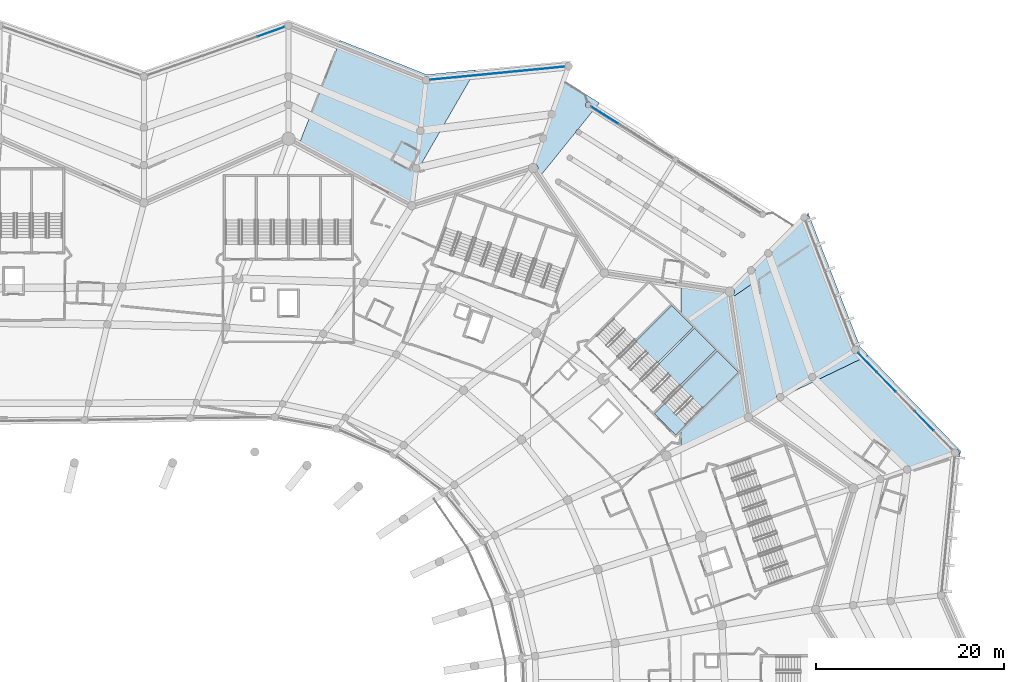
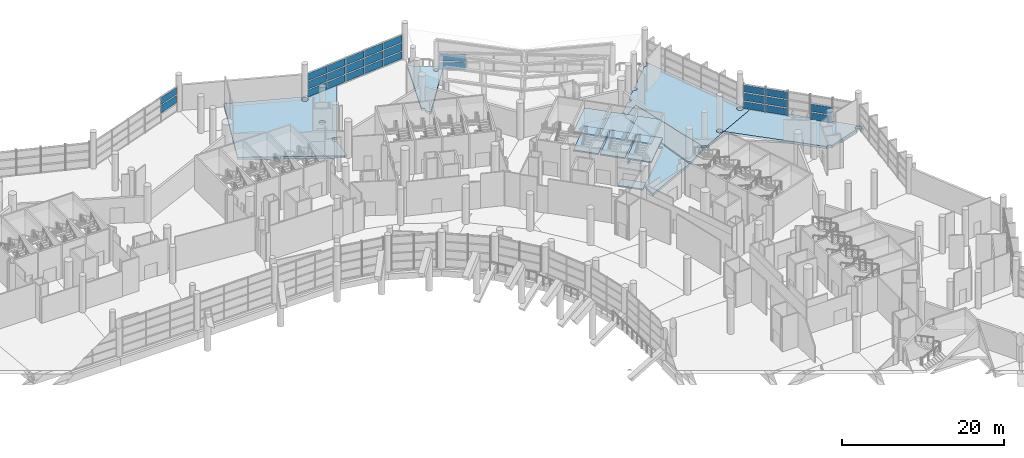
# One storey, part 155 of 271: 27 plates, 14 slabs, 7 elements without a shape of their own.
"""IFC4 building model written with IfcOpenShell, lengths in metres."""

from ifc_helpers import new_model, si_unit, direction, frame, origin, origin_2d, place, context, subcontext, project, spatial, polyline, rectangle, outline, extrude, material, layer, layer_set, type_object, element, aggregate, save


model = new_model("IFC4")

# Units and contexts
model_context = context("Model", 3, precision=1e-05, world=origin(), true_north=direction((0.0, 1.0)))
body_context = subcontext(model_context, "Body", "Model", "MODEL_VIEW")
ifc_project = project(units=[si_unit("LENGTHUNIT", "METRE"), si_unit("AREAUNIT", "SQUARE_METRE"), si_unit("VOLUMEUNIT", "CUBIC_METRE"), si_unit("PLANEANGLEUNIT", "RADIAN"), si_unit("MASSUNIT", "GRAM", prefix="KILO")], contexts=[model_context])

# Site, building, storey
site_placement = place(None, origin())
site = spatial("IfcSite", under=ifc_project, at=site_placement, CompositionType="ELEMENT")
building_placement = place(site_placement, origin())
building = spatial("IfcBuilding", under=site, at=building_placement, Name="Meseta Stadium", CompositionType="ELEMENT")
storey_placement = place(building_placement, frame((0.0, 0.0, 6.5)))
storey = spatial("IfcBuildingStorey", under=building, at=storey_placement, Name="L01", CompositionType="ELEMENT", Elevation=6.5)

# Slabs
ifc_material_1 = material(Name="Concrete C40/50", Category="concrete")
ifc_layer_1 = layer(ifc_material_1, 0.35009765625)
ifc_layer_set_1 = layer_set([ifc_layer_1], Name="Floor slab 350")
slab_type_1 = type_object("IfcSlabType", Name="Floor slab 350", PredefinedType="FLOOR", material=ifc_layer_set_1)
slab_1_placement = place(storey_placement, frame((0.0, 0.0, -0.35009765625)))
element("IfcSlab", 1, at=slab_1_placement, inside=storey, type_object=slab_type_1, Name="Floor slab L01 sector 07 panel 13", PredefinedType="FLOOR", context=body_context, shape_type="SweptSolid", body=[
    extrude(outline(polyline([(86.093017578125, 80.61767578125), (80.0, 74.524658203125), (80.0, 72.48828125), (87.15087890625, 75.856689453125), (85.173583984375, 89.173583984375), (80.0, 89.94189453125), (80.0, 86.710693359375), (81.28466796875, 85.426025390625), (80.0, 84.141357421875), (80.0, 83.858642578125), (81.426025390625, 85.28466796875), (83.688720703125, 83.02197265625), (80.6669921875, 80.0), (80.94970703125, 80.0), (83.830078125, 82.880615234375), (86.093017578125, 80.61767578125)])), origin(), (0.0, 0.0, 1.0), 0.35009765625),
])
slab_2_placement = place(storey_placement, frame((0.0, 0.0, -0.35009765625)))
element("IfcSlab", 2, at=slab_2_placement, inside=storey, type_object=slab_type_1, Name="Ring floor slab L01 2 panel 04", PredefinedType="FLOOR", context=body_context, shape_type="SweptSolid", body=[
    extrude(outline(polyline([(51.323974609375, 98.73291015625), (51.44140625, 98.748291015625), (51.491943359375, 98.74169921875), (51.844482421875, 101.87158203125), (51.784912109375, 101.879638671875), (51.6875, 101.919921875), (51.60400390625, 101.98388671875), (51.539794921875, 102.0673828125), (51.49951171875, 102.164794921875), (51.48583984375, 102.269287109375), (51.49951171875, 102.373779296875), (51.539794921875, 102.470947265625), (51.60400390625, 102.554443359375), (51.6875, 102.61865234375), (51.784912109375, 102.658935546875), (51.889404296875, 102.672607421875), (51.993896484375, 102.658935546875), (52.091064453125, 102.61865234375), (52.174560546875, 102.554443359375), (52.23876953125, 102.470947265625), (52.25732421875, 102.426025390625), (58.19482421875, 112.697998046875), (53.009033203125, 112.206298828125), (43.822509765625, 115.8330078125), (39.49951171875, 104.9384765625), (51.138671875, 98.629150390625), (51.214599609375, 98.6875), (51.323974609375, 98.73291015625)]), holes=[polyline([(52.538330078125, 111.610107421875), (52.552001953125, 111.714599609375), (52.59228515625, 111.81201171875), (52.656494140625, 111.8955078125), (52.739990234375, 111.959716796875), (52.83740234375, 112.0), (52.94189453125, 112.013671875), (53.046142578125, 112.0), (53.1435546875, 111.959716796875), (53.22705078125, 111.8955078125), (53.291259765625, 111.81201171875), (53.33154296875, 111.714599609375), (53.34521484375, 111.610107421875), (53.33154296875, 111.505615234375), (53.291259765625, 111.408447265625), (53.22705078125, 111.324951171875), (53.1435546875, 111.2607421875), (53.046142578125, 111.220458984375), (52.94189453125, 111.206787109375), (52.83740234375, 111.220458984375), (52.739990234375, 111.2607421875), (52.656494140625, 111.324951171875), (52.59228515625, 111.408447265625), (52.552001953125, 111.505615234375), (52.538330078125, 111.610107421875)]), polyline([(52.052001953125, 106.529296875), (52.135498046875, 106.593505859375), (52.23291015625, 106.6337890625), (52.337158203125, 106.647705078125), (52.441650390625, 106.6337890625), (52.538818359375, 106.593505859375), (52.62255859375, 106.529296875), (52.6865234375, 106.44580078125), (52.726806640625, 106.348388671875), (52.740478515625, 106.244140625), (52.726806640625, 106.1396484375), (52.6865234375, 106.04248046875), (52.62255859375, 105.958740234375), (52.538818359375, 105.894775390625), (52.441650390625, 105.8544921875), (52.337158203125, 105.8408203125), (52.23291015625, 105.8544921875), (52.135498046875, 105.894775390625), (52.052001953125, 105.958740234375), (51.98779296875, 106.04248046875), (51.947509765625, 106.1396484375), (51.93359375, 106.244140625), (51.947509765625, 106.348388671875), (51.98779296875, 106.44580078125), (52.052001953125, 106.529296875)])]), origin(), (0.0, 0.0, 1.0), 0.35009765625),
])
slab_3_placement = place(storey_placement, frame((0.0, 0.0, -0.35009765625)))
element("IfcSlab", 3, at=slab_3_placement, inside=storey, type_object=slab_type_1, Name="Ring floor slab L01 1 part 1 panel 01", PredefinedType="FLOOR", context=body_context, shape_type="SweptSolid", body=[
    extrude(outline(polyline([(90.447021484375, 78.37646484375), (87.729248046875, 90.11767578125), (85.4169921875, 88.556640625), (87.23681640625, 76.29931640625), (87.268310546875, 76.295166015625), (87.377685546875, 76.249755859375), (87.4716796875, 76.177734375), (87.533447265625, 76.097412109375), (90.197509765625, 77.771240234375), (90.188232421875, 77.783203125), (90.14794921875, 77.880615234375), (90.13427734375, 77.98486328125), (90.14794921875, 78.08935546875), (90.188232421875, 78.1865234375), (90.25244140625, 78.270263671875), (90.3359375, 78.334228515625), (90.433349609375, 78.37451171875), (90.447021484375, 78.37646484375)])), origin(), (0.0, 0.0, 1.0), 0.35009765625),
])
slab_4_placement = place(storey_placement, frame((0.0, 0.0, -0.35009765625)))
element("IfcSlab", 4, at=slab_4_placement, inside=storey, type_object=slab_type_1, Name="Ring floor slab L01 1 part 1 panel 02", PredefinedType="FLOOR", context=body_context, shape_type="SweptSolid", body=[
    extrude(outline(polyline([(89.45654296875, 92.905517578125), (89.359375, 92.864990234375), (89.2548828125, 92.851318359375), (89.150390625, 92.864990234375), (89.052978515625, 92.905517578125), (88.969482421875, 92.969482421875), (87.711669921875, 91.711669921875), (87.77587890625, 91.628173828125), (87.816162109375, 91.53076171875), (87.829833984375, 91.426513671875), (87.816162109375, 91.322021484375), (87.77587890625, 91.224609375), (87.711669921875, 91.14111328125), (87.628173828125, 91.076904296875), (87.53076171875, 91.03662109375), (87.426513671875, 91.02294921875), (87.322021484375, 91.03662109375), (87.224609375, 91.076904296875), (87.14111328125, 91.14111328125), (85.5302734375, 89.5302734375), (85.610595703125, 89.42578125), (85.660888671875, 89.30419921875), (85.677978515625, 89.173583984375), (85.660888671875, 89.043212890625), (85.610595703125, 88.921630859375), (85.5302734375, 88.817138671875), (85.42578125, 88.737060546875), (85.392333984375, 88.722900390625), (85.4169921875, 88.556640625), (87.729248046875, 90.11767578125), (90.447021484375, 78.37646484375), (90.53759765625, 78.38818359375), (90.64208984375, 78.37451171875), (90.739501953125, 78.334228515625), (90.822998046875, 78.270263671875), (90.88720703125, 78.1865234375), (90.924560546875, 78.09619140625), (99.877197265625, 82.401611328125), (99.0048828125, 83.30517578125), (93.49755859375, 97.49755859375), (93.3583984375, 97.3583984375), (93.422607421875, 97.27490234375), (93.462890625, 97.177490234375), (93.476806640625, 97.0732421875), (93.462890625, 96.96875), (93.422607421875, 96.87158203125), (93.3583984375, 96.787841796875), (93.27490234375, 96.723876953125), (93.217041015625, 96.69970703125), (93.177490234375, 96.68359375), (93.0732421875, 96.669921875), (92.96875, 96.68359375), (92.87158203125, 96.723876953125), (92.787841796875, 96.787841796875), (89.5400390625, 93.5400390625), (89.604248046875, 93.45654296875), (89.64453125, 93.359375), (89.658203125, 93.2548828125), (89.64453125, 93.150390625), (89.604248046875, 93.052978515625), (89.5400390625, 92.969482421875), (89.45654296875, 92.905517578125)]), holes=[polyline([(94.314208984375, 80.008544921875), (94.27392578125, 79.911376953125), (94.2099609375, 79.82763671875), (94.126220703125, 79.763671875), (94.029052734375, 79.723388671875), (93.924560546875, 79.709716796875), (93.8203125, 79.723388671875), (93.722900390625, 79.763671875), (93.639404296875, 79.82763671875), (93.5751953125, 79.911376953125), (93.534912109375, 80.008544921875), (93.52099609375, 80.113037109375), (93.534912109375, 80.21728515625), (93.5751953125, 80.314697265625), (93.639404296875, 80.398193359375), (93.722900390625, 80.46240234375), (93.8203125, 80.502685546875), (93.924560546875, 80.5166015625), (94.029052734375, 80.502685546875), (94.126220703125, 80.46240234375), (94.2099609375, 80.398193359375), (94.27392578125, 80.314697265625), (94.314208984375, 80.21728515625), (94.327880859375, 80.113037109375), (94.314208984375, 80.008544921875)]), polyline([(98.84619140625, 83.187744140625), (98.88671875, 83.09033203125), (98.900390625, 82.986083984375), (98.88671875, 82.881591796875), (98.84619140625, 82.7841796875), (98.7822265625, 82.70068359375), (98.698486328125, 82.63671875), (98.601318359375, 82.59619140625), (98.496826171875, 82.58251953125), (98.392578125, 82.59619140625), (98.295166015625, 82.63671875), (98.211669921875, 82.70068359375), (98.1474609375, 82.7841796875), (98.107177734375, 82.881591796875), (98.093505859375, 82.986083984375), (98.107177734375, 83.09033203125), (98.1474609375, 83.187744140625), (98.211669921875, 83.271240234375), (98.295166015625, 83.33544921875), (98.392578125, 83.375732421875), (98.496826171875, 83.389404296875), (98.601318359375, 83.375732421875), (98.698486328125, 83.33544921875), (98.7822265625, 83.271240234375), (98.84619140625, 83.187744140625)])]), origin(), (0.0, 0.0, 1.0), 0.35009765625),
])
slab_5_placement = place(storey_placement, frame((0.0, 0.0, -0.35009765625)))
element("IfcSlab", 5, at=slab_5_placement, inside=storey, type_object=slab_type_1, Name="Ring floor slab L01 1 part 1 panel 05", PredefinedType="FLOOR", context=body_context, shape_type="SweptSolid", body=[
    extrude(outline(polyline([(104.094482421875, 70.681396484375), (104.191650390625, 70.64111328125), (104.275146484375, 70.576904296875), (104.33935546875, 70.493408203125), (104.3681640625, 70.423828125), (108.708740234375, 71.94287109375), (108.697265625, 71.970703125), (108.68359375, 72.0751953125), (108.697265625, 72.179443359375), (108.737548828125, 72.27685546875), (108.801513671875, 72.3603515625), (108.88525390625, 72.424560546875), (108.982421875, 72.46484375), (109.0869140625, 72.478515625), (109.19140625, 72.46484375), (109.28857421875, 72.424560546875), (109.372314453125, 72.3603515625), (109.436279296875, 72.27685546875), (109.4765625, 72.179443359375), (109.490478515625, 72.0751953125), (109.4765625, 71.970703125), (109.436279296875, 71.873291015625), (109.372314453125, 71.789794921875), (109.28857421875, 71.7255859375), (109.19140625, 71.685302734375), (109.0869140625, 71.671630859375), (109.048095703125, 71.6767578125), (109.03564453125, 71.54931640625), (109.601318359375, 71.726806640625), (109.6533203125, 72.273193359375), (99.877197265625, 82.401611328125), (94.31884765625, 79.728515625), (103.70166015625, 70.572998046875), (103.70458984375, 70.576904296875), (103.7880859375, 70.64111328125), (103.885498046875, 70.681396484375), (103.989990234375, 70.695068359375), (104.094482421875, 70.681396484375)])), origin(), (0.0, 0.0, 1.0), 0.35009765625),
])
slab_6_placement = place(storey_placement, frame((0.0, 0.0, -0.35009765625)))
element("IfcSlab", 6, at=slab_6_placement, inside=storey, type_object=slab_type_1, Name="Gate hall floor slab 2 part 1", PredefinedType="FLOOR", context=body_context, shape_type="SweptSolid", body=[
    extrude(outline(polyline([(64.708740234375, 102.005615234375), (65.079833984375, 101.458740234375), (68.8388671875, 106.116455078125), (68.84521484375, 106.165283203125), (68.87548828125, 106.23828125), (68.923583984375, 106.30078125), (68.986083984375, 106.348876953125), (69.046630859375, 106.3740234375), (71.326904296875, 109.19921875), (67.5458984375, 111.57470703125), (64.462890625, 102.763916015625), (64.549560546875, 102.727783203125), (64.654052734375, 102.647705078125), (64.734130859375, 102.543212890625), (64.78466796875, 102.421630859375), (64.8017578125, 102.291015625), (64.78466796875, 102.16064453125), (64.734130859375, 102.0390625), (64.708740234375, 102.005615234375)]), holes=[polyline([(70.30517578125, 108.729248046875), (70.232177734375, 108.69921875), (70.15380859375, 108.688720703125), (70.075439453125, 108.69921875), (70.00244140625, 108.729248046875), (69.939697265625, 108.77734375), (69.8916015625, 108.840087890625), (69.861572265625, 108.9130859375), (69.851318359375, 108.991455078125), (69.861572265625, 109.069580078125), (69.8916015625, 109.142578125), (69.939697265625, 109.205322265625), (70.00244140625, 109.25341796875), (70.075439453125, 109.28369140625), (70.15380859375, 109.2939453125), (70.232177734375, 109.28369140625), (70.30517578125, 109.25341796875), (70.367919921875, 109.205322265625), (70.415771484375, 109.142578125), (70.446044921875, 109.069580078125), (70.456298828125, 108.991455078125), (70.446044921875, 108.9130859375), (70.415771484375, 108.840087890625), (70.367919921875, 108.77734375), (70.30517578125, 108.729248046875)])]), origin(), (0.0, 0.0, 1.0), 0.35009765625),
])

# Curtain wall, plates
ifc_material_2 = material(Name="Aluminium", Category="aluminium")
ifc_layer_2 = layer(ifc_material_2, 0.199951171875)
ifc_layer_set_2 = layer_set([ifc_layer_2], Name="Ring shopfront curtain wall")
curtain_wall_type_1 = type_object("IfcCurtainWallType", Name="Ring shopfront curtain wall", PredefinedType="NOTDEFINED", material=ifc_layer_set_2)
curtain_wall_1_placement = place(storey_placement, origin())
curtain_wall_1 = element("IfcCurtainWall", 7, at=curtain_wall_1_placement, inside=storey, type_object=curtain_wall_type_1, Name="Ring glazing L01 F10", PredefinedType="NOTDEFINED")
ifc_material_3 = material(Name="Glass", Category="glass")
ifc_layer_3 = layer(ifc_material_3, 0.035888671875)
ifc_layer_set_3 = layer_set([ifc_layer_3], Name="Ring CW glass panel 36")
plate_type = type_object("IfcPlateType", Name="Ring CW glass panel 36", PredefinedType="CURTAIN_PANEL", material=ifc_layer_set_3)
plate_1_placement = place(storey_placement, frame((105.79833984375, 75.463134765625, 0.14990234375), z_axis=(0.0, 0.0, 1.0), x_axis=(-0.6964727488, 0.717583242683, 0.0)))
plate_1 = element("IfcPlate", 8, at=plate_1_placement, type_object=plate_type, Name="CWR1 panel 2.1", PredefinedType="CURTAIN_PANEL", context=body_context, shape_type="SweptSolid", body=[
    extrude(rectangle(XDim=2.821044921875, YDim=0.035888671875, at=origin_2d()), origin(), (0.0, 0.0, 1.0), 1.058349609375),
])
plate_2_placement = place(storey_placement, frame((105.79833984375, 75.463134765625, 1.3583984375), z_axis=(0.0, 0.0, 1.0), x_axis=(-0.6964727488, 0.717583242683, 0.0)))
plate_2 = element("IfcPlate", 9, at=plate_2_placement, type_object=plate_type, Name="CWR1 panel 2.2", PredefinedType="CURTAIN_PANEL", context=body_context, shape_type="SweptSolid", body=[
    extrude(rectangle(XDim=2.821044921875, YDim=0.035888671875, at=origin_2d()), origin(), (0.0, 0.0, 1.0), 1.13330078125),
])
plate_3_placement = place(storey_placement, frame((101.785400390625, 79.597900390625, 0.14990234375), z_axis=(0.0, 0.0, 1.0), x_axis=(-0.6964727488, 0.717583242683, 0.0)))
plate_3 = element("IfcPlate", 10, at=plate_3_placement, type_object=plate_type, Name="CWR1 panel 4.1", PredefinedType="CURTAIN_PANEL", context=body_context, shape_type="SweptSolid", body=[
    extrude(rectangle(XDim=2.821044921875, YDim=0.035888671875, at=origin_2d()), origin(), (0.0, 0.0, 1.0), 1.058349609375),
])
plate_4_placement = place(storey_placement, frame((101.785400390625, 79.597900390625, 1.3583984375), z_axis=(0.0, 0.0, 1.0), x_axis=(-0.6964727488, 0.717583242683, 0.0)))
plate_4 = element("IfcPlate", 11, at=plate_4_placement, type_object=plate_type, Name="CWR1 panel 4.2", PredefinedType="CURTAIN_PANEL", context=body_context, shape_type="SweptSolid", body=[
    extrude(rectangle(XDim=2.821044921875, YDim=0.035888671875, at=origin_2d()), origin(), (0.0, 0.0, 1.0), 1.13330078125),
])
plate_5_placement = place(storey_placement, frame((101.785400390625, 79.597900390625, 2.6416015625), z_axis=(0.0, 0.0, 1.0), x_axis=(-0.6964727488, 0.717583242683, 0.0)))
plate_5 = element("IfcPlate", 12, at=plate_5_placement, type_object=plate_type, Name="CWR1 panel 4.3", PredefinedType="CURTAIN_PANEL", context=body_context, shape_type="SweptSolid", body=[
    extrude(rectangle(XDim=2.821044921875, YDim=0.035888671875, at=origin_2d()), origin(), (0.0, 0.0, 1.0), 1.058349609375),
])
plate_6_placement = place(storey_placement, frame((99.789306640625, 81.654541015625, 0.14990234375), z_axis=(0.0, 0.0, 1.0), x_axis=(-0.6964727488, 0.717583242683, 0.0)))
plate_6 = element("IfcPlate", 13, at=plate_6_placement, type_object=plate_type, Name="CWR1 panel 5.1", PredefinedType="CURTAIN_PANEL", context=body_context, shape_type="SweptSolid", body=[
    extrude(rectangle(XDim=2.791015625, YDim=0.035888671875, at=origin_2d()), origin(), (0.0, 0.0, 1.0), 1.058349609375),
])
plate_7_placement = place(storey_placement, frame((99.789306640625, 81.654541015625, 1.3583984375), z_axis=(0.0, 0.0, 1.0), x_axis=(-0.6964727488, 0.717583242683, 0.0)))
plate_7 = element("IfcPlate", 14, at=plate_7_placement, type_object=plate_type, Name="CWR1 panel 5.2", PredefinedType="CURTAIN_PANEL", context=body_context, shape_type="SweptSolid", body=[
    extrude(rectangle(XDim=2.791015625, YDim=0.035888671875, at=origin_2d()), origin(), (0.0, 0.0, 1.0), 1.13330078125),
])
plate_8_placement = place(storey_placement, frame((99.789306640625, 81.654541015625, 2.6416015625), z_axis=(0.0, 0.0, 1.0), x_axis=(-0.6964727488, 0.717583242683, 0.0)))
plate_8 = element("IfcPlate", 15, at=plate_8_placement, type_object=plate_type, Name="CWR1 panel 5.3", PredefinedType="CURTAIN_PANEL", context=body_context, shape_type="SweptSolid", body=[
    extrude(rectangle(XDim=2.791015625, YDim=0.035888671875, at=origin_2d()), origin(), (0.0, 0.0, 1.0), 1.058349609375),
])
aggregate(curtain_wall_1, [plate_1, plate_2, plate_3, plate_4, plate_5, plate_6, plate_7, plate_8])

curtain_wall_2_placement = place(storey_placement, origin())
curtain_wall_2 = element("IfcCurtainWall", 16, at=curtain_wall_2_placement, inside=storey, type_object=curtain_wall_type_1, Name="Ring glazing L01 F14", PredefinedType="NOTDEFINED")
plate_9_placement = place(storey_placement, frame((66.228271484375, 112.90673828125, 0.14990234375), z_axis=(0.0, 0.0, 1.0), x_axis=(-0.995272228282, -0.097124618973, 0.0)))
plate_9 = element("IfcPlate", 17, at=plate_9_placement, type_object=plate_type, Name="CWR1 panel 1.1", PredefinedType="CURTAIN_PANEL", context=body_context, shape_type="SweptSolid", body=[
    extrude(rectangle(XDim=2.791015625, YDim=0.035888671875, at=origin_2d()), origin(), (0.0, 0.0, 1.0), 1.058349609375),
])
plate_10_placement = place(storey_placement, frame((66.228271484375, 112.90673828125, 1.3583984375), z_axis=(0.0, 0.0, 1.0), x_axis=(-0.995272228282, -0.097124618973, 0.0)))
plate_10 = element("IfcPlate", 18, at=plate_10_placement, type_object=plate_type, Name="CWR1 panel 1.2", PredefinedType="CURTAIN_PANEL", context=body_context, shape_type="SweptSolid", body=[
    extrude(rectangle(XDim=2.791015625, YDim=0.035888671875, at=origin_2d()), origin(), (0.0, 0.0, 1.0), 1.13330078125),
])
plate_11_placement = place(storey_placement, frame((66.228271484375, 112.90673828125, 2.6416015625), z_axis=(0.0, 0.0, 1.0), x_axis=(-0.995272228282, -0.097124618973, 0.0)))
plate_11 = element("IfcPlate", 19, at=plate_11_placement, type_object=plate_type, Name="CWR1 panel 1.3", PredefinedType="CURTAIN_PANEL", context=body_context, shape_type="SweptSolid", body=[
    extrude(rectangle(XDim=2.791015625, YDim=0.035888671875, at=origin_2d()), origin(), (0.0, 0.0, 1.0), 1.058349609375),
])
plate_12_placement = place(storey_placement, frame((63.3759765625, 112.62841796875, 0.14990234375), z_axis=(0.0, 0.0, 1.0), x_axis=(-0.995272228282, -0.097124618973, 0.0)))
plate_12 = element("IfcPlate", 20, at=plate_12_placement, type_object=plate_type, Name="CWR1 panel 2.1", PredefinedType="CURTAIN_PANEL", context=body_context, shape_type="SweptSolid", body=[
    extrude(rectangle(XDim=2.821044921875, YDim=0.035888671875, at=origin_2d()), origin(), (0.0, 0.0, 1.0), 1.058349609375),
])
plate_13_placement = place(storey_placement, frame((63.3759765625, 112.62841796875, 1.3583984375), z_axis=(0.0, 0.0, 1.0), x_axis=(-0.995272228282, -0.097124618973, 0.0)))
plate_13 = element("IfcPlate", 21, at=plate_13_placement, type_object=plate_type, Name="CWR1 panel 2.2", PredefinedType="CURTAIN_PANEL", context=body_context, shape_type="SweptSolid", body=[
    extrude(rectangle(XDim=2.821044921875, YDim=0.035888671875, at=origin_2d()), origin(), (0.0, 0.0, 1.0), 1.13330078125),
])
plate_14_placement = place(storey_placement, frame((63.3759765625, 112.62841796875, 2.6416015625), z_axis=(0.0, 0.0, 1.0), x_axis=(-0.995272228282, -0.097124618973, 0.0)))
plate_14 = element("IfcPlate", 22, at=plate_14_placement, type_object=plate_type, Name="CWR1 panel 2.3", PredefinedType="CURTAIN_PANEL", context=body_context, shape_type="SweptSolid", body=[
    extrude(rectangle(XDim=2.821044921875, YDim=0.035888671875, at=origin_2d()), origin(), (0.0, 0.0, 1.0), 1.058349609375),
])
plate_15_placement = place(storey_placement, frame((60.508544921875, 112.3486328125, 0.14990234375), z_axis=(0.0, 0.0, 1.0), x_axis=(-0.995272228282, -0.097124618973, 0.0)))
plate_15 = element("IfcPlate", 23, at=plate_15_placement, type_object=plate_type, Name="CWR1 panel 3.1", PredefinedType="CURTAIN_PANEL", context=body_context, shape_type="SweptSolid", body=[
    extrude(rectangle(XDim=2.821044921875, YDim=0.035888671875, at=origin_2d()), origin(), (0.0, 0.0, 1.0), 1.058349609375),
])
plate_16_placement = place(storey_placement, frame((60.508544921875, 112.3486328125, 1.3583984375), z_axis=(0.0, 0.0, 1.0), x_axis=(-0.995272228282, -0.097124618973, 0.0)))
plate_16 = element("IfcPlate", 24, at=plate_16_placement, type_object=plate_type, Name="CWR1 panel 3.2", PredefinedType="CURTAIN_PANEL", context=body_context, shape_type="SweptSolid", body=[
    extrude(rectangle(XDim=2.821044921875, YDim=0.035888671875, at=origin_2d()), origin(), (0.0, 0.0, 1.0), 1.13330078125),
])
plate_17_placement = place(storey_placement, frame((60.508544921875, 112.3486328125, 2.6416015625), z_axis=(0.0, 0.0, 1.0), x_axis=(-0.995272228282, -0.097124618973, 0.0)))
plate_17 = element("IfcPlate", 25, at=plate_17_placement, type_object=plate_type, Name="CWR1 panel 3.3", PredefinedType="CURTAIN_PANEL", context=body_context, shape_type="SweptSolid", body=[
    extrude(rectangle(XDim=2.821044921875, YDim=0.035888671875, at=origin_2d()), origin(), (0.0, 0.0, 1.0), 1.058349609375),
])
plate_18_placement = place(storey_placement, frame((57.64111328125, 112.06884765625, 0.14990234375), z_axis=(0.0, 0.0, 1.0), x_axis=(-0.995272228282, -0.097124618973, 0.0)))
plate_18 = element("IfcPlate", 26, at=plate_18_placement, type_object=plate_type, Name="CWR1 panel 4.1", PredefinedType="CURTAIN_PANEL", context=body_context, shape_type="SweptSolid", body=[
    extrude(rectangle(XDim=2.821044921875, YDim=0.035888671875, at=origin_2d()), origin(), (0.0, 0.0, 1.0), 1.058349609375),
])
plate_19_placement = place(storey_placement, frame((57.64111328125, 112.06884765625, 1.3583984375), z_axis=(0.0, 0.0, 1.0), x_axis=(-0.995272228282, -0.097124618973, 0.0)))
plate_19 = element("IfcPlate", 27, at=plate_19_placement, type_object=plate_type, Name="CWR1 panel 4.2", PredefinedType="CURTAIN_PANEL", context=body_context, shape_type="SweptSolid", body=[
    extrude(rectangle(XDim=2.821044921875, YDim=0.035888671875, at=origin_2d()), origin(), (0.0, 0.0, 1.0), 1.13330078125),
])
plate_20_placement = place(storey_placement, frame((57.64111328125, 112.06884765625, 2.6416015625), z_axis=(0.0, 0.0, 1.0), x_axis=(-0.995272228282, -0.097124618973, 0.0)))
plate_20 = element("IfcPlate", 28, at=plate_20_placement, type_object=plate_type, Name="CWR1 panel 4.3", PredefinedType="CURTAIN_PANEL", context=body_context, shape_type="SweptSolid", body=[
    extrude(rectangle(XDim=2.821044921875, YDim=0.035888671875, at=origin_2d()), origin(), (0.0, 0.0, 1.0), 1.058349609375),
])
plate_21_placement = place(storey_placement, frame((54.78857421875, 111.790283203125, 0.14990234375), z_axis=(0.0, 0.0, 1.0), x_axis=(-0.995272228282, -0.097124618973, 0.0)))
plate_21 = element("IfcPlate", 29, at=plate_21_placement, type_object=plate_type, Name="CWR1 panel 5.1", PredefinedType="CURTAIN_PANEL", context=body_context, shape_type="SweptSolid", body=[
    extrude(rectangle(XDim=2.791015625, YDim=0.035888671875, at=origin_2d()), origin(), (0.0, 0.0, 1.0), 1.058349609375),
])
plate_22_placement = place(storey_placement, frame((54.78857421875, 111.790283203125, 1.3583984375), z_axis=(0.0, 0.0, 1.0), x_axis=(-0.995272228282, -0.097124618973, 0.0)))
plate_22 = element("IfcPlate", 30, at=plate_22_placement, type_object=plate_type, Name="CWR1 panel 5.2", PredefinedType="CURTAIN_PANEL", context=body_context, shape_type="SweptSolid", body=[
    extrude(rectangle(XDim=2.791015625, YDim=0.035888671875, at=origin_2d()), origin(), (0.0, 0.0, 1.0), 1.13330078125),
])
plate_23_placement = place(storey_placement, frame((54.78857421875, 111.790283203125, 2.6416015625), z_axis=(0.0, 0.0, 1.0), x_axis=(-0.995272228282, -0.097124618973, 0.0)))
plate_23 = element("IfcPlate", 31, at=plate_23_placement, type_object=plate_type, Name="CWR1 panel 5.3", PredefinedType="CURTAIN_PANEL", context=body_context, shape_type="SweptSolid", body=[
    extrude(rectangle(XDim=2.791015625, YDim=0.035888671875, at=origin_2d()), origin(), (0.0, 0.0, 1.0), 1.058349609375),
])
aggregate(curtain_wall_2, [plate_9, plate_10, plate_11, plate_12, plate_13, plate_14, plate_15, plate_16, plate_17, plate_18, plate_19, plate_20, plate_21, plate_22, plate_23])

curtain_wall_3_placement = place(storey_placement, origin())
curtain_wall_3 = element("IfcCurtainWall", 32, at=curtain_wall_3_placement, inside=storey, type_object=curtain_wall_type_1, Name="Ring glazing L01 F16", PredefinedType="NOTDEFINED")
plate_24_placement = place(storey_placement, frame((36.48388671875, 116.748779296875, 1.3583984375), z_axis=(0.0, 0.0, 1.0), x_axis=(-0.943218009999, -0.332174330154, 0.0)))
plate_24 = element("IfcPlate", 33, at=plate_24_placement, type_object=plate_type, Name="CWR1 panel 1.2", PredefinedType="CURTAIN_PANEL", context=body_context, shape_type="SweptSolid", body=[
    extrude(rectangle(XDim=3.001220703125, YDim=0.035888671875, at=origin_2d()), origin(), (0.0, 0.0, 1.0), 1.13330078125),
])
plate_25_placement = place(storey_placement, frame((36.48388671875, 116.748779296875, 2.6416015625), z_axis=(0.0, 0.0, 1.0), x_axis=(-0.943218009999, -0.332174330154, 0.0)))
plate_25 = element("IfcPlate", 34, at=plate_25_placement, type_object=plate_type, Name="CWR1 panel 1.3", PredefinedType="CURTAIN_PANEL", context=body_context, shape_type="SweptSolid", body=[
    extrude(rectangle(XDim=3.001220703125, YDim=0.035888671875, at=origin_2d()), origin(), (0.0, 0.0, 1.0), 1.058349609375),
])
aggregate(curtain_wall_3, [plate_24, plate_25])

ifc_material_4 = material(Name="Aluminium", Category="aluminium")
ifc_layer_4 = layer(ifc_material_4, 0.199951171875)
ifc_layer_set_4 = layer_set([ifc_layer_4], Name="Gate hall curtain wall")
curtain_wall_type_2 = type_object("IfcCurtainWallType", Name="Gate hall curtain wall", PredefinedType="NOTDEFINED", material=ifc_layer_set_4)
curtain_wall_4_placement = place(storey_placement, origin())
curtain_wall_4 = element("IfcCurtainWall", 35, at=curtain_wall_4_placement, inside=storey, type_object=curtain_wall_type_2, Name="Gate 2 hall glazing", PredefinedType="NOTDEFINED")
plate_26_placement = place(storey_placement, frame((71.87890625, 107.907470703125, 0.14990234375), z_axis=(0.0, 0.0, 1.0), x_axis=(0.846726977389, -0.532027655072, 0.0)))
plate_26 = element("IfcPlate", 36, at=plate_26_placement, type_object=plate_type, Name="CWG1 panel 1.1", PredefinedType="CURTAIN_PANEL", context=body_context, shape_type="SweptSolid", body=[
    extrude(rectangle(XDim=3.3544921875, YDim=0.035888671875, at=origin_2d()), origin(), (0.0, 0.0, 1.0), 1.08740234375),
])
plate_27_placement = place(storey_placement, frame((71.87890625, 107.907470703125, 1.38720703125), z_axis=(0.0, 0.0, 1.0), x_axis=(0.846726977389, -0.532027655072, 0.0)))
plate_27 = element("IfcPlate", 37, at=plate_27_placement, type_object=plate_type, Name="CWG1 panel 1.2", PredefinedType="CURTAIN_PANEL", context=body_context, shape_type="SweptSolid", body=[
    extrude(rectangle(XDim=3.3544921875, YDim=0.035888671875, at=origin_2d()), origin(), (0.0, 0.0, 1.0), 1.08740234375),
])
aggregate(curtain_wall_4, [plate_26, plate_27])

# Stair, slabs
ifc_material_5 = material(Name="Concrete C40/50", Category="concrete")
stair_type = type_object("IfcStairType", Name="Exit stair 4 flights 153 mm risers", PredefinedType="HALF_TURN_STAIR", material=ifc_material_5)
stair_1_placement = place(storey_placement, origin())
stair_1 = element("IfcStair", 38, at=stair_1_placement, inside=storey, type_object=stair_type, Name="ST25 L01", PredefinedType="HALF_TURN_STAIR")
ifc_material_6 = material(Name="Concrete C40/50", Category="concrete")
ifc_layer_5 = layer(ifc_material_6, 0.199951171875)
ifc_layer_set_5 = layer_set([ifc_layer_5], Name="Stair landing 200")
slab_type_2 = type_object("IfcSlabType", Name="Stair landing 200", PredefinedType="LANDING", material=ifc_layer_set_5)
slab_7_placement = place(storey_placement, frame((0.0, 0.0, 1.175048828125)))
slab_7 = element("IfcSlab", 39, at=slab_7_placement, type_object=slab_type_2, Name="ST25 L01 landing 1", PredefinedType="LANDING", context=body_context, shape_type="SweptSolid", body=[
    extrude(outline(polyline([(82.309814453125, 76.834716796875), (86.093017578125, 80.61767578125), (83.830322265625, 82.88037109375), (80.047119140625, 79.097412109375), (82.309814453125, 76.834716796875)])), origin(), (0.0, 0.0, 1.0), 0.199951171875),
])
slab_8_placement = place(storey_placement, frame((0.0, 0.0, 2.550048828125)))
slab_8 = element("IfcSlab", 40, at=slab_8_placement, type_object=slab_type_2, Name="ST25 L01 landing 2", PredefinedType="LANDING", context=body_context, shape_type="SweptSolid", body=[
    extrude(outline(polyline([(79.446044921875, 73.970947265625), (80.513916015625, 75.03857421875), (78.251220703125, 77.301513671875), (77.183349609375, 76.233642578125), (79.446044921875, 73.970947265625)])), origin(), (0.0, 0.0, 1.0), 0.199951171875),
])
slab_9_placement = place(storey_placement, frame((0.0, 0.0, 3.925048828125)))
slab_9 = element("IfcSlab", 41, at=slab_9_placement, type_object=slab_type_2, Name="ST25 L01 landing 3", PredefinedType="LANDING", context=body_context, shape_type="SweptSolid", body=[
    extrude(outline(polyline([(82.309814453125, 76.834716796875), (86.093017578125, 80.61767578125), (83.830322265625, 82.88037109375), (80.047119140625, 79.097412109375), (82.309814453125, 76.834716796875)])), origin(), (0.0, 0.0, 1.0), 0.199951171875),
])
slab_10_placement = place(storey_placement, frame((0.0, 0.0, -0.199951171875)))
slab_10 = element("IfcSlab", 42, at=slab_10_placement, type_object=slab_type_2, Name="ST25 L01 landing 4", PredefinedType="LANDING", context=body_context, shape_type="SweptSolid", body=[
    extrude(outline(polyline([(79.4462890625, 73.970947265625), (79.988037109375, 74.5126953125), (79.988037109375, 74.524658203125), (79.988037109375, 74.52587890625), (79.98828125, 74.527099609375), (79.988525390625, 74.5283203125), (79.989013671875, 74.529296875), (79.989501953125, 74.530517578125), (79.989990234375, 74.531494140625), (79.99072265625, 74.5322265625), (79.991455078125, 74.533203125), (80.50537109375, 75.047119140625), (78.251220703125, 77.301513671875), (77.183349609375, 76.233642578125), (79.4462890625, 73.970947265625)])), origin(), (0.0, 0.0, 1.0), 0.199951171875),
])
aggregate(stair_1, [slab_7, slab_8, slab_9, slab_10])

stair_2_placement = place(storey_placement, origin())
stair_2 = element("IfcStair", 43, at=stair_2_placement, inside=storey, type_object=stair_type, Name="ST26 L01", PredefinedType="HALF_TURN_STAIR")
slab_11_placement = place(storey_placement, frame((0.0, 0.0, 1.175048828125)))
slab_11 = element("IfcSlab", 44, at=slab_11_placement, type_object=slab_type_2, Name="ST26 L01 landing 1", PredefinedType="LANDING", context=body_context, shape_type="SweptSolid", body=[
    extrude(outline(polyline([(79.90576171875, 79.23876953125), (83.688720703125, 83.02197265625), (81.426025390625, 85.28466796875), (77.64306640625, 81.501708984375), (79.90576171875, 79.23876953125)])), origin(), (0.0, 0.0, 1.0), 0.199951171875),
])
slab_12_placement = place(storey_placement, frame((0.0, 0.0, 3.925048828125)))
slab_12 = element("IfcSlab", 45, at=slab_12_placement, type_object=slab_type_2, Name="ST26 L01 landing 3", PredefinedType="LANDING", context=body_context, shape_type="SweptSolid", body=[
    extrude(outline(polyline([(79.90576171875, 79.23876953125), (83.688720703125, 83.02197265625), (81.426025390625, 85.28466796875), (77.64306640625, 81.501708984375), (79.90576171875, 79.23876953125)])), origin(), (0.0, 0.0, 1.0), 0.199951171875),
])
aggregate(stair_2, [slab_11, slab_12])

stair_3_placement = place(storey_placement, origin())
stair_3 = element("IfcStair", 46, at=stair_3_placement, inside=storey, type_object=stair_type, Name="ST27 L01", PredefinedType="HALF_TURN_STAIR")
slab_13_placement = place(storey_placement, frame((0.0, 0.0, 1.175048828125)))
slab_13 = element("IfcSlab", 47, at=slab_13_placement, type_object=slab_type_2, Name="ST27 L01 landing 1", PredefinedType="LANDING", context=body_context, shape_type="SweptSolid", body=[
    extrude(outline(polyline([(77.501708984375, 81.64306640625), (81.28466796875, 85.426025390625), (79.02197265625, 87.688720703125), (75.23876953125, 83.90576171875), (77.501708984375, 81.64306640625)])), origin(), (0.0, 0.0, 1.0), 0.199951171875),
])
slab_14_placement = place(storey_placement, frame((0.0, 0.0, 3.925048828125)))
slab_14 = element("IfcSlab", 48, at=slab_14_placement, type_object=slab_type_2, Name="ST27 L01 landing 3", PredefinedType="LANDING", context=body_context, shape_type="SweptSolid", body=[
    extrude(outline(polyline([(77.501708984375, 81.64306640625), (81.28466796875, 85.426025390625), (79.02197265625, 87.688720703125), (75.23876953125, 83.90576171875), (77.501708984375, 81.64306640625)])), origin(), (0.0, 0.0, 1.0), 0.199951171875),
])
aggregate(stair_3, [slab_13, slab_14])

save(model, "model.ifc")
